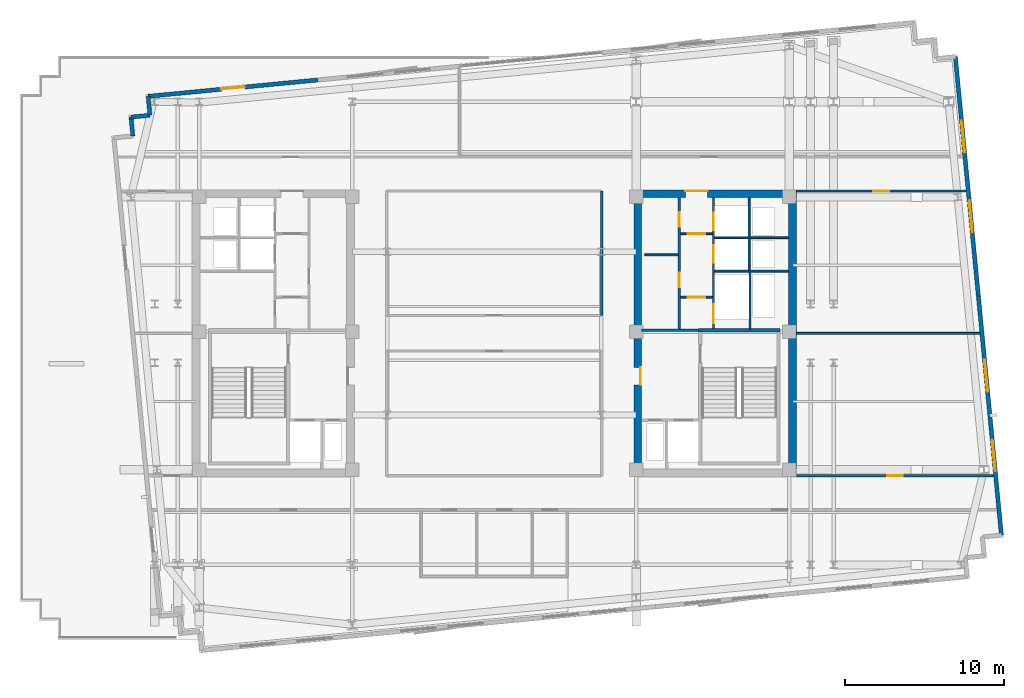
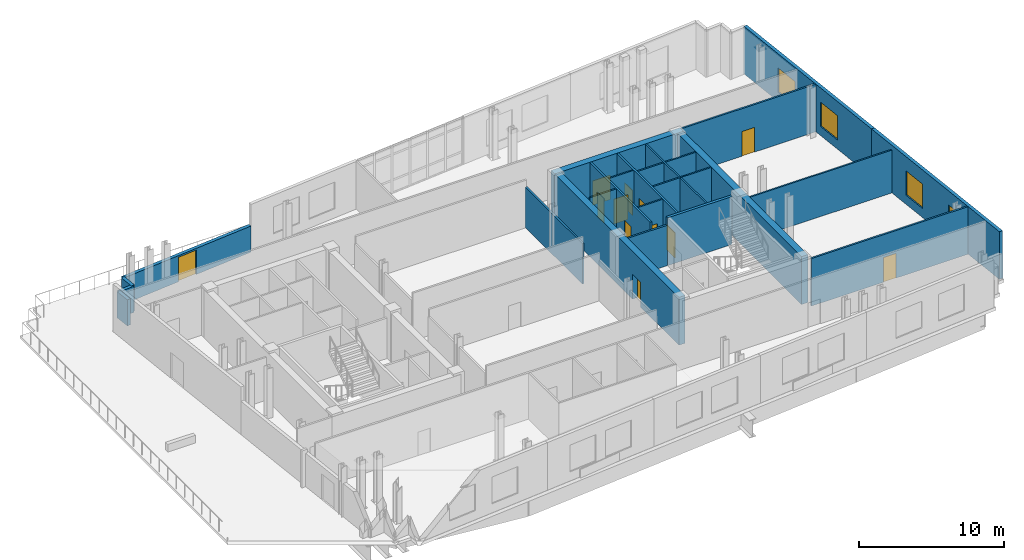
# One storey, part 7 of 11: 25 walls, 12 doors, 4 windows, 16 openings.
"""IFC4 building model written with IfcOpenShell, lengths in metres."""

from ifc_helpers import new_model, si_unit, direction, frame, frame_2d, origin, place, context, subcontext, project, spatial, rectangle, extrude, material, layer, layer_set, type_object, element, fill, save


model = new_model("IFC4")

# Units and contexts
model_context = context("Model", 3, precision=1e-05, world=origin(), true_north=direction((0.0, 1.0)))
body_context = subcontext(model_context, "Body", "Model", "MODEL_VIEW")
ifc_project = project(units=[si_unit("LENGTHUNIT", "METRE"), si_unit("AREAUNIT", "SQUARE_METRE"), si_unit("VOLUMEUNIT", "CUBIC_METRE"), si_unit("PLANEANGLEUNIT", "RADIAN"), si_unit("MASSUNIT", "GRAM", prefix="KILO")], contexts=[model_context])

# Site, building, storey
site_placement = place(None, origin())
site = spatial("IfcSite", under=ifc_project, at=site_placement, CompositionType="ELEMENT")
building_placement = place(site_placement, origin())
building = spatial("IfcBuilding", under=site, at=building_placement, Name="Velakula Bourse", CompositionType="ELEMENT")
storey_placement = place(building_placement, frame((0.0, 0.0, 247.5)))
storey = spatial("IfcBuildingStorey", under=building, at=storey_placement, Name="L67", CompositionType="ELEMENT", Elevation=247.5)

# Wall
ifc_material_1 = material(Name="Concrete M50 (fck 50 MPa)", Category="concrete")
ifc_layer_1 = layer(ifc_material_1, 0.2099609375, Name="Concrete M50 (fck 50 MPa)", Category="concrete")
ifc_layer_set_1 = layer_set([ifc_layer_1], Name="Concrete M50 (fck 50 MPa)")
wall_type_1 = type_object("IfcWallType", Name="WL-CORE-210", PredefinedType="SHEAR", material=ifc_layer_set_1)
wall_1_placement = place(storey_placement, frame((18.030029296875, 0.205078125, 0.0), z_axis=(0.0, 0.0, 1.0), x_axis=(-1.0, 0.0, 0.0)))
element("IfcWall", 1, at=wall_1_placement, inside=storey, type_object=wall_type_1, Name="L67 Core E Stairwell Shear Wall N", PredefinedType="SHEAR", context=body_context, shape_type="SweptSolid", body=[
    extrude(rectangle(XDim=5.14013671875, YDim=0.2099609375, at=frame_2d((2.570068359375, 0.0))), origin(), (0.0, 0.0, 1.0), 4.02001953125),
])

# Wall, opening, door
ifc_layer_2 = layer(ifc_material_1, 0.5, Name="Concrete M50 (fck 50 MPa)", Category="concrete")
ifc_layer_set_2 = layer_set([ifc_layer_2], Name="Concrete M50 (fck 50 MPa)")
wall_type_2 = type_object("IfcWallType", Name="WL-CORE-500", PredefinedType="SHEAR", material=ifc_layer_set_2)
wall_2_placement = place(storey_placement, frame((8.800048828125, 8.800048828125, 0.0), z_axis=(0.0, 0.0, 1.0), x_axis=(1.0, 0.0, 0.0)))
wall_2 = element("IfcWall", 2, at=wall_2_placement, inside=storey, type_object=wall_type_2, Name="L67 Core E Shear Wall N", PredefinedType="SHEAR", context=body_context, shape_type="SweptSolid", body=[
    extrude(rectangle(XDim=10.25, YDim=0.5, at=frame_2d((5.125, 0.0))), origin(), (0.0, 0.0, 1.0), 4.02001953125),
])
opening_1_placement = place(wall_2_placement, frame((3.25, 0.0, 0.0)))
opening_1 = element("IfcOpeningElement", 3, at=opening_1_placement, cuts=wall_2, Name="Opening D-LLE", PredefinedType="OPENING", context=body_context, shape_type="SweptSolid", body=[
    extrude(rectangle(XDim=1.39990234375, YDim=2.050048828125, at=frame_2d((0.699951171875, 1.02490234375))), frame((0.0, 0.260009765625, 0.0), z_axis=(0.0, -1.0, 0.0), x_axis=(1.0, 0.0, 0.0)), (0.0, 0.0, 1.0), 0.52001953125),
])
ifc_material_2 = material(Name="Fire-rated hardwood flush architectural door", Category="wood")
door_type_1 = type_object("IfcDoorType", Name="DR-DBL-FD60-1400", OperationType="DOUBLE_DOOR_SINGLE_SWING", PredefinedType="DOOR", material=ifc_material_2)
door_1_placement = place(opening_1_placement, origin())
door_1 = element("IfcDoor", 4, at=door_1_placement, inside=storey, type_object=door_type_1, Name="L67 Core E Lift Lobby Corridor Double Door", OperationType="DOUBLE_DOOR_SINGLE_SWING", OverallHeight=2.050048828125, OverallWidth=1.39990234375, PredefinedType="DOOR", context=body_context, shape_type="SweptSolid", body=[
    extrude(rectangle(XDim=1.39990234375, YDim=2.050048828125, at=frame_2d((0.699951171875, 1.02490234375))), frame((0.0, 0.19482421875, 0.0), z_axis=(0.0, -1.0, 0.0), x_axis=(1.0, 0.0, 0.0)), (0.0, 0.0, 1.0), 0.050048828125),
])
fill(opening_1, door_1)

wall_3_placement = place(storey_placement, frame((9.050048828125, -8.550048828125, 0.0), z_axis=(0.0, 0.0, 1.0), x_axis=(0.0, 1.0, 0.0)))
wall_3 = element("IfcWall", 5, at=wall_3_placement, inside=storey, type_object=wall_type_2, Name="L67 Core E Shear Wall W", PredefinedType="SHEAR", context=body_context, shape_type="SweptSolid", body=[
    extrude(rectangle(XDim=17.10009765625, YDim=0.5, at=frame_2d((8.550048828125, 0.0))), origin(), (0.0, 0.0, 1.0), 4.02001953125),
])
opening_2_placement = place(wall_3_placement, frame((5.300048828125, 0.0, 0.0)))
opening_2 = element("IfcOpeningElement", 6, at=opening_2_placement, cuts=wall_3, Name="Opening D-FLE", PredefinedType="OPENING", context=body_context, shape_type="SweptSolid", body=[
    extrude(rectangle(XDim=1.10009765625, YDim=2.080078125, at=frame_2d((0.550048828125, 1.0400390625))), frame((0.0, 0.260009765625, 0.0), z_axis=(0.0, -1.0, 0.0), x_axis=(1.0, 0.0, 0.0)), (0.0, 0.0, 1.0), 0.52001953125),
])
ifc_material_3 = material(Name="Galvanised painted hollow steel fire door", Category="steel")
door_type_2 = type_object("IfcDoorType", Name="DR-FD120-1100", OperationType="NOTDEFINED", PredefinedType="DOOR", material=ifc_material_3)
door_2_placement = place(opening_2_placement, origin())
door_2 = element("IfcDoor", 7, at=door_2_placement, inside=storey, type_object=door_type_2, Name="L67 Firefighting Lobby E Corridor Fire Door", OperationType="SINGLE_SWING_RIGHT", OverallHeight=2.080078125, OverallWidth=1.10009765625, PredefinedType="DOOR", context=body_context, shape_type="SweptSolid", body=[
    extrude(rectangle(XDim=1.10009765625, YDim=2.080078125, at=frame_2d((0.550048828125, 1.0400390625))), frame((0.0, -0.15478515625, 0.0), z_axis=(0.0, -1.0, 0.0), x_axis=(1.0, 0.0, 0.0)), (0.0, 0.0, 1.0), 0.050048828125),
])
fill(opening_2, door_2)

# Wall
wall_4_placement = place(storey_placement, frame((18.800048828125, -8.550048828125, 0.0), z_axis=(0.0, 0.0, 1.0), x_axis=(0.0, 1.0, 0.0)))
element("IfcWall", 8, at=wall_4_placement, inside=storey, type_object=wall_type_2, Name="L67 Core E Shear Wall E", PredefinedType="SHEAR", context=body_context, shape_type="SweptSolid", body=[
    extrude(rectangle(XDim=17.10009765625, YDim=0.5, at=frame_2d((8.550048828125, 0.0))), origin(), (0.0, 0.0, 1.0), 4.02001953125),
])

# Wall, opening, door
ifc_material_4 = material(Name="Buff kilned clay facing brick masonry", Category="masonry")
ifc_layer_3 = layer(ifc_material_4, 0.260009765625, Name="Buff kilned clay facing brick masonry", Category="masonry")
ifc_layer_set_3 = layer_set([ifc_layer_3], Name="Buff kilned clay facing brick masonry")
wall_type_3 = type_object("IfcWallType", Name="WL-EXT-BRK-260", PredefinedType="STANDARD", material=ifc_layer_set_3)
wall_5_placement = place(storey_placement, frame((-21.820556640625, 14.94482421875, 0.0), z_axis=(0.0, 0.0, 1.0), x_axis=(0.995394787719, 0.095860401528, 0.0)))
wall_5 = element("IfcWall", 9, at=wall_5_placement, inside=storey, type_object=wall_type_3, Name="L67 N Brick Spandrel Wall B1", PredefinedType="STANDARD", context=body_context, shape_type="SweptSolid", body=[
    extrude(rectangle(XDim=10.750244140625, YDim=0.260009765625, at=frame_2d((5.375, 0.0))), origin(), (0.0, 0.0, 1.0), 2.195068359375),
])
opening_3_placement = place(wall_5_placement, frame((4.625, 0.0, 0.0)))
opening_3 = element("IfcOpeningElement", 10, at=opening_3_placement, cuts=wall_5, Name="Opening D-TR2", PredefinedType="OPENING", context=body_context, shape_type="SweptSolid", body=[
    extrude(rectangle(XDim=1.5, YDim=2.054931640625, at=frame_2d((0.75, 1.02734375))), frame((0.0, 0.139892578125, 0.0), z_axis=(0.0, -1.0, 0.0), x_axis=(1.0, 0.0, 0.0)), (0.0, 0.0, 1.0), 0.280029296875),
])
ifc_material_5 = material(Name="Anodised bronze architectural aluminium", Category="aluminium")
door_type_3 = type_object("IfcDoorType", Name="DR-EXT-TERR-1500-LOW", OperationType="DOUBLE_DOOR_SINGLE_SWING", PredefinedType="DOOR", material=ifc_material_5)
door_3_placement = place(opening_3_placement, origin())
door_3 = element("IfcDoor", 11, at=door_3_placement, inside=storey, type_object=door_type_3, Name="L67 Sky-Garden Terrace Access Door 1", OperationType="DOUBLE_DOOR_SINGLE_SWING", OverallHeight=2.054931640625, OverallWidth=1.5, PredefinedType="DOOR", context=body_context, shape_type="SweptSolid", body=[
    extrude(rectangle(XDim=1.5, YDim=2.054931640625, at=frame_2d((0.75, 1.02734375))), frame((0.0, 0.02490234375, 0.0), z_axis=(0.0, -1.0, 0.0), x_axis=(1.0, 0.0, 0.0)), (0.0, 0.0, 1.0), 0.050048828125),
])
fill(opening_3, door_3)

# Wall, openings, windows
wall_6_placement = place(storey_placement, frame((30.52734375, 2.354248046875, 0.0), z_axis=(0.0, 0.0, 1.0), x_axis=(0.095850890337, -0.995395703638, 0.0)))
wall_6 = element("IfcWall", 12, at=wall_6_placement, inside=storey, type_object=wall_type_3, Name="L67 E Brick End Wall W1", PredefinedType="STANDARD", context=body_context, shape_type="SweptSolid", body=[
    extrude(rectangle(XDim=15.150146484375, YDim=0.260009765625, at=frame_2d((7.5751953125, 0.0))), origin(), (0.0, 0.0, 1.0), 4.0),
])
opening_4_placement = place(wall_6_placement, frame((4.050048828125, 0.0, 0.760009765625)))
opening_4 = element("IfcOpeningElement", 13, at=opening_4_placement, cuts=wall_6, Name="Opening W-05", PredefinedType="OPENING", context=body_context, shape_type="SweptSolid", body=[
    extrude(rectangle(XDim=2.0, YDim=2.050048828125, at=frame_2d((1.0, 1.02490234375))), frame((0.0, 0.139892578125, 0.0), z_axis=(0.0, -1.0, 0.0), x_axis=(1.0, 0.0, 0.0)), (0.0, 0.0, 1.0), 0.280029296875),
])
opening_5_placement = place(wall_6_placement, frame((9.10009765625, 0.0, 0.760009765625)))
opening_5 = element("IfcOpeningElement", 14, at=opening_5_placement, cuts=wall_6, Name="Opening W-05", PredefinedType="OPENING", context=body_context, shape_type="SweptSolid", body=[
    extrude(rectangle(XDim=2.0, YDim=2.050048828125, at=frame_2d((1.0, 1.02490234375))), frame((0.0, 0.139892578125, 0.0), z_axis=(0.0, -1.0, 0.0), x_axis=(1.0, 0.0, 0.0)), (0.0, 0.0, 1.0), 0.280029296875),
])
ifc_material_6 = material(Name="Double-glazed solar-control Low-E glass", Category="glass")
window_type = type_object("IfcWindowType", Name="WIN-TWR-2000x2200", PartitioningType="DOUBLE_PANEL_VERTICAL", PredefinedType="WINDOW", material=ifc_material_6)
window_1_placement = place(opening_4_placement, origin())
window_1 = element("IfcWindow", 15, at=window_1_placement, inside=storey, type_object=window_type, Name="L67 Deep-Set Recessed Window 1", OverallHeight=2.050048828125, OverallWidth=2.0, PartitioningType="DOUBLE_PANEL_VERTICAL", PredefinedType="WINDOW", context=body_context, shape_type="SweptSolid", body=[
    extrude(rectangle(XDim=2.0, YDim=2.050048828125, at=frame_2d((1.0, 1.02490234375))), frame((0.0, 0.030029296875, 0.0), z_axis=(0.0, -1.0, 0.0), x_axis=(1.0, 0.0, 0.0)), (0.0, 0.0, 1.0), 0.06005859375),
])
fill(opening_4, window_1)
window_2_placement = place(opening_5_placement, origin())
window_2 = element("IfcWindow", 16, at=window_2_placement, inside=storey, type_object=window_type, Name="L67 Deep-Set Recessed Window 2", OverallHeight=2.050048828125, OverallWidth=2.0, PartitioningType="DOUBLE_PANEL_VERTICAL", PredefinedType="WINDOW", context=body_context, shape_type="SweptSolid", body=[
    extrude(rectangle(XDim=2.0, YDim=2.050048828125, at=frame_2d((1.0, 1.02490234375))), frame((0.0, 0.030029296875, 0.0), z_axis=(0.0, -1.0, 0.0), x_axis=(1.0, 0.0, 0.0)), (0.0, 0.0, 1.0), 0.06005859375),
])
fill(opening_5, window_2)

wall_7_placement = place(storey_placement, frame((29.0751953125, 17.4345703125, 0.0), z_axis=(0.0, 0.0, 1.0), x_axis=(0.095850890337, -0.995395703638, 0.0)))
wall_7 = element("IfcWall", 17, at=wall_7_placement, inside=storey, type_object=wall_type_3, Name="L67 E Brick End Wall W2", PredefinedType="STANDARD", context=body_context, shape_type="SweptSolid", body=[
    extrude(rectangle(XDim=15.150146484375, YDim=0.260009765625, at=frame_2d((7.5751953125, 0.0))), origin(), (0.0, 0.0, 1.0), 4.0),
])
opening_6_placement = place(wall_7_placement, frame((4.050048828125, 0.0, 0.760009765625)))
opening_6 = element("IfcOpeningElement", 18, at=opening_6_placement, cuts=wall_7, Name="Opening W-05", PredefinedType="OPENING", context=body_context, shape_type="SweptSolid", body=[
    extrude(rectangle(XDim=2.0, YDim=2.050048828125, at=frame_2d((1.0, 1.02490234375))), frame((0.0, 0.139892578125, 0.0), z_axis=(0.0, -1.0, 0.0), x_axis=(1.0, 0.0, 0.0)), (0.0, 0.0, 1.0), 0.280029296875),
])
opening_7_placement = place(wall_7_placement, frame((9.10009765625, 0.0, 0.760009765625)))
opening_7 = element("IfcOpeningElement", 19, at=opening_7_placement, cuts=wall_7, Name="Opening W-05", PredefinedType="OPENING", context=body_context, shape_type="SweptSolid", body=[
    extrude(rectangle(XDim=2.0, YDim=2.050048828125, at=frame_2d((1.0, 1.02490234375))), frame((0.0, 0.139892578125, 0.0), z_axis=(0.0, -1.0, 0.0), x_axis=(1.0, 0.0, 0.0)), (0.0, 0.0, 1.0), 0.280029296875),
])
window_3_placement = place(opening_6_placement, origin())
window_3 = element("IfcWindow", 20, at=window_3_placement, inside=storey, type_object=window_type, Name="L67 Deep-Set Recessed Window 1", OverallHeight=2.050048828125, OverallWidth=2.0, PartitioningType="DOUBLE_PANEL_VERTICAL", PredefinedType="WINDOW", context=body_context, shape_type="SweptSolid", body=[
    extrude(rectangle(XDim=2.0, YDim=2.050048828125, at=frame_2d((1.0, 1.02490234375))), frame((0.0, 0.030029296875, 0.0), z_axis=(0.0, -1.0, 0.0), x_axis=(1.0, 0.0, 0.0)), (0.0, 0.0, 1.0), 0.06005859375),
])
fill(opening_6, window_3)
window_4_placement = place(opening_7_placement, origin())
window_4 = element("IfcWindow", 21, at=window_4_placement, inside=storey, type_object=window_type, Name="L67 Deep-Set Recessed Window 2", OverallHeight=2.050048828125, OverallWidth=2.0, PartitioningType="DOUBLE_PANEL_VERTICAL", PredefinedType="WINDOW", context=body_context, shape_type="SweptSolid", body=[
    extrude(rectangle(XDim=2.0, YDim=2.050048828125, at=frame_2d((1.0, 1.02490234375))), frame((0.0, 0.030029296875, 0.0), z_axis=(0.0, -1.0, 0.0), x_axis=(1.0, 0.0, 0.0)), (0.0, 0.0, 1.0), 0.06005859375),
])
fill(opening_7, window_4)

# Walls
wall_8_placement = place(storey_placement, frame((-21.820556640625, 14.94482421875, 0.0), z_axis=(0.0, 0.0, 1.0), x_axis=(0.096038073607, -0.995377661201, 0.0)))
element("IfcWall", 22, at=wall_8_placement, inside=storey, type_object=wall_type_3, Name="L67 Serrated Corner Brick Wall NW-1", PredefinedType="STANDARD", context=body_context, shape_type="SweptSolid", body=[
    extrude(rectangle(XDim=1.199951171875, YDim=0.260009765625, at=frame_2d((0.60009765625, 0.0))), origin(), (0.0, 0.0, 1.0), 2.195068359375),
])
for number, where, z_axis, x_axis, name in (
    (23, (-21.705322265625, 13.75048828125, 0.0), (0.0, 0.0, 1.0), (-0.995398960025, -0.095817067274, 0.0), "L67 Serrated Corner Brick Wall NW-2"),
    (24, (-22.89990234375, 13.635498046875, 0.0), (0.0, 0.0, 1.0), (0.095817067274, -0.995398960025, 0.0), "L67 Serrated Corner Brick Wall NW-3"),
):
    element("IfcWall", number, at=place(storey_placement, frame(where, z_axis=z_axis, x_axis=x_axis)), inside=storey, type_object=wall_type_3, Name=name, PredefinedType="STANDARD", context=body_context, shape_type="SweptSolid", body=[
        extrude(rectangle(XDim=1.2001953125, YDim=0.260009765625, at=frame_2d((0.60009765625, 0.0))), origin(), (0.0, 0.0, 1.0), 2.195068359375),
    ])

# Wall, opening, door
ifc_material_7 = material(Name="Fire-rated double-layer gypsum drywall partition", Category="gypsum")
ifc_layer_4 = layer(ifc_material_7, 0.1201171875, Name="Fire-rated double-layer gypsum drywall partition", Category="gypsum")
ifc_layer_set_4 = layer_set([ifc_layer_4], Name="Fire-rated double-layer gypsum drywall partition")
wall_type_4 = type_object("IfcWallType", Name="WL-PART-120", PredefinedType="STANDARD", material=ifc_layer_set_4)
wall_9_placement = place(storey_placement, frame((11.75, 2.280029296875, 0.0), z_axis=(0.0, 0.0, 1.0), x_axis=(1.0, 0.0, 0.0)))
wall_9 = element("IfcWall", 25, at=wall_9_placement, inside=storey, type_object=wall_type_4, Name="L67 Interior Partition WL-CRE-L67-LL-K3A", PredefinedType="STANDARD", context=body_context, shape_type="SweptSolid", body=[
    extrude(rectangle(XDim=2.0, YDim=0.1201171875, at=frame_2d((1.0, 0.0))), origin(), (0.0, 0.0, 1.0), 4.0),
])
opening_8_placement = place(wall_9_placement, frame((0.449951171875, 0.0, 0.0)))
opening_8 = element("IfcOpeningElement", 26, at=opening_8_placement, cuts=wall_9, Name="Opening D-LK3", PredefinedType="OPENING", context=body_context, shape_type="SweptSolid", body=[
    extrude(rectangle(XDim=1.10009765625, YDim=2.10009765625, at=frame_2d((0.550048828125, 1.050048828125))), frame((0.0, 0.070068359375, 0.0), z_axis=(0.0, -1.0, 0.0), x_axis=(1.0, 0.0, 0.0)), (0.0, 0.0, 1.0), 0.14013671875),
])
door_type_4 = type_object("IfcDoorType", Name="DR-FD60-1100x2100", OperationType="NOTDEFINED", PredefinedType="DOOR", material=ifc_material_2)
door_4_placement = place(opening_8_placement, origin())
door_4 = element("IfcDoor", 27, at=door_4_placement, inside=storey, type_object=door_type_4, Name="L67 Core E Lift Lobby Vestibule Door A", OperationType="SINGLE_SWING_LEFT", OverallHeight=2.10009765625, OverallWidth=1.10009765625, PredefinedType="DOOR", context=body_context, shape_type="SweptSolid", body=[
    extrude(rectangle(XDim=1.10009765625, YDim=2.10009765625, at=frame_2d((0.550048828125, 1.050048828125))), frame((0.0, 0.02490234375, 0.0), z_axis=(0.0, -1.0, 0.0), x_axis=(1.0, 0.0, 0.0)), (0.0, 0.0, 1.0), 0.050048828125),
])
fill(opening_8, door_4)

wall_10_placement = place(storey_placement, frame((11.75, 6.280029296875, 0.0), z_axis=(0.0, 0.0, 1.0), x_axis=(1.0, 0.0, 0.0)))
wall_10 = element("IfcWall", 28, at=wall_10_placement, inside=storey, type_object=wall_type_4, Name="L67 Interior Partition WL-CRE-L67-LL-K3B", PredefinedType="STANDARD", context=body_context, shape_type="SweptSolid", body=[
    extrude(rectangle(XDim=2.0, YDim=0.1201171875, at=frame_2d((1.0, 0.0))), origin(), (0.0, 0.0, 1.0), 4.0),
])
opening_9_placement = place(wall_10_placement, frame((0.449951171875, 0.0, 0.0)))
opening_9 = element("IfcOpeningElement", 29, at=opening_9_placement, cuts=wall_10, Name="Opening D-LK3", PredefinedType="OPENING", context=body_context, shape_type="SweptSolid", body=[
    extrude(rectangle(XDim=1.10009765625, YDim=2.10009765625, at=frame_2d((0.550048828125, 1.050048828125))), frame((0.0, 0.070068359375, 0.0), z_axis=(0.0, -1.0, 0.0), x_axis=(1.0, 0.0, 0.0)), (0.0, 0.0, 1.0), 0.14013671875),
])
door_5_placement = place(opening_9_placement, origin())
door_5 = element("IfcDoor", 30, at=door_5_placement, inside=storey, type_object=door_type_4, Name="L67 Core E Lift Lobby Vestibule Door B", OperationType="SINGLE_SWING_RIGHT", OverallHeight=2.10009765625, OverallWidth=1.10009765625, PredefinedType="DOOR", context=body_context, shape_type="SweptSolid", body=[
    extrude(rectangle(XDim=1.10009765625, YDim=2.10009765625, at=frame_2d((0.550048828125, 1.050048828125))), frame((0.0, 0.02490234375, 0.0), z_axis=(0.0, -1.0, 0.0), x_axis=(1.0, 0.0, 0.0)), (0.0, 0.0, 1.0), 0.050048828125),
])
fill(opening_9, door_5)

# Walls
wall_11_placement = place(storey_placement, frame((9.5, 4.949951171875, 0.0), z_axis=(0.0, 0.0, 1.0), x_axis=(1.0, 0.0, 0.0)))
element("IfcWall", 31, at=wall_11_placement, inside=storey, type_object=wall_type_4, Name="L67 Interior Partition WL-CRE-L67-RCDIV", PredefinedType="STANDARD", context=body_context, shape_type="SweptSolid", body=[
    extrude(rectangle(XDim=2.10009765625, YDim=0.1201171875, at=frame_2d((1.050048828125, 0.0))), origin(), (0.0, 0.0, 1.0), 4.0),
])
wall_12_placement = place(storey_placement, frame((13.89990234375, 3.919921875, 0.0), z_axis=(0.0, 0.0, 1.0), x_axis=(1.0, 0.0, 0.0)))
element("IfcWall", 32, at=wall_12_placement, inside=storey, type_object=wall_type_4, Name="L67 Interior Partition WL-CRE-L67-HI-S", PredefinedType="STANDARD", context=body_context, shape_type="SweptSolid", body=[
    extrude(rectangle(XDim=4.650146484375, YDim=0.1201171875, at=frame_2d((2.3251953125, 0.0))), origin(), (0.0, 0.0, 1.0), 4.0),
])
wall_13_placement = place(storey_placement, frame((16.14990234375, 6.030029296875, 0.0), z_axis=(0.0, 0.0, 1.0), x_axis=(1.0, 0.0, 0.0)))
element("IfcWall", 33, at=wall_13_placement, inside=storey, type_object=wall_type_4, Name="L67 Interior Partition WL-CRE-L67-RIS-MID", PredefinedType="STANDARD", context=body_context, shape_type="SweptSolid", body=[
    extrude(rectangle(XDim=2.400146484375, YDim=0.1201171875, at=frame_2d((1.2001953125, 0.0))), origin(), (0.0, 0.0, 1.0), 4.0),
])
wall_14_placement = place(storey_placement, frame((16.074951171875, 3.97998046875, 0.0), z_axis=(0.0, 0.0, 1.0), x_axis=(0.0, 1.0, 0.0)))
element("IfcWall", 34, at=wall_14_placement, inside=storey, type_object=wall_type_4, Name="L67 Interior Partition WL-CRE-L67-RIS-F", PredefinedType="STANDARD", context=body_context, shape_type="SweptSolid", body=[
    extrude(rectangle(XDim=4.570068359375, YDim=0.1201171875, at=frame_2d((2.28515625, 0.0))), origin(), (0.0, 0.0, 1.0), 4.0),
])
wall_15_placement = place(storey_placement, frame((13.89990234375, 6.030029296875, 0.0), z_axis=(0.0, 0.0, 1.0), x_axis=(1.0, 0.0, 0.0)))
element("IfcWall", 35, at=wall_15_placement, inside=storey, type_object=wall_type_4, Name="L67 Interior Partition WL-CRE-L67-HI-DIV", PredefinedType="STANDARD", context=body_context, shape_type="SweptSolid", body=[
    extrude(rectangle(XDim=2.10009765625, YDim=0.1201171875, at=frame_2d((1.050048828125, 0.0))), origin(), (0.0, 0.0, 1.0), 4.0),
])
wall_16_placement = place(storey_placement, frame((16.125, 0.27001953125, 0.0), z_axis=(0.0, 0.0, 1.0), x_axis=(0.0, 1.0, 0.0)))
element("IfcWall", 36, at=wall_16_placement, inside=storey, type_object=wall_type_4, Name="L67 Interior Partition WL-CRE-L67-SVL-E", PredefinedType="STANDARD", context=body_context, shape_type="SweptSolid", body=[
    extrude(rectangle(XDim=3.590087890625, YDim=0.1201171875, at=frame_2d((1.794921875, 0.0))), origin(), (0.0, 0.0, 1.0), 4.0),
])
wall_17_placement = place(storey_placement, frame((19.050048828125, 0.0, 0.0), z_axis=(0.0, 0.0, 1.0), x_axis=(1.0, 0.0, 0.0)))
element("IfcWall", 37, at=wall_17_placement, inside=storey, type_object=wall_type_4, Name="L67 Interior Partition WL-INT-L67-E-H", PredefinedType="STANDARD", context=body_context, shape_type="SweptSolid", body=[
    extrude(rectangle(XDim=11.5732421875, YDim=0.1201171875, at=frame_2d((5.78662109375, 0.0))), origin(), (0.0, 0.0, 1.0), 3.594970703125),
])

# Wall, opening, door
ifc_layer_5 = layer(ifc_material_7, 0.139892578125, Name="Fire-rated double-layer gypsum drywall partition", Category="gypsum")
ifc_layer_set_5 = layer_set([ifc_layer_5], Name="Fire-rated double-layer gypsum drywall partition")
wall_type_5 = type_object("IfcWallType", Name="WL-PART-140", PredefinedType="STANDARD", material=ifc_layer_set_5)
wall_18_placement = place(storey_placement, frame((19.050048828125, 8.97998046875, 0.0), z_axis=(0.0, 0.0, 1.0), x_axis=(1.0, 0.0, 0.0)))
wall_18 = element("IfcWall", 38, at=wall_18_placement, inside=storey, type_object=wall_type_5, Name="L67 Interior Partition WL-INT-L67-E-NC", PredefinedType="STANDARD", context=body_context, shape_type="SweptSolid", body=[
    extrude(rectangle(XDim=10.708740234375, YDim=0.139892578125, at=frame_2d((5.3544921875, 0.0))), origin(), (0.0, 0.0, 1.0), 4.0),
])
opening_10_placement = place(wall_18_placement, frame((4.8544921875, 0.0, 0.0)))
opening_10 = element("IfcOpeningElement", 39, at=opening_10_placement, cuts=wall_18, Name="Opening D-OF1", PredefinedType="OPENING", context=body_context, shape_type="SweptSolid", body=[
    extrude(rectangle(XDim=1.0, YDim=2.080078125, at=frame_2d((0.5, 1.0400390625))), frame((0.0, 0.079833984375, 0.0), z_axis=(0.0, -1.0, 0.0), x_axis=(1.0, 0.0, 0.0)), (0.0, 0.0, 1.0), 0.159912109375),
])
door_type_5 = type_object("IfcDoorType", Name="DR-OFF-1000", OperationType="NOTDEFINED", PredefinedType="DOOR", material=ifc_material_2)
door_6_placement = place(opening_10_placement, origin())
door_6 = element("IfcDoor", 40, at=door_6_placement, inside=storey, type_object=door_type_5, Name="L67 Asset Allocation Office Door", OperationType="SINGLE_SWING_RIGHT", OverallHeight=2.080078125, OverallWidth=1.0, PredefinedType="DOOR", context=body_context, shape_type="SweptSolid", body=[
    extrude(rectangle(XDim=1.0, YDim=2.080078125, at=frame_2d((0.5, 1.0400390625))), frame((0.0, 0.02490234375, 0.0), z_axis=(0.0, -1.0, 0.0), x_axis=(1.0, 0.0, 0.0)), (0.0, 0.0, 1.0), 0.050048828125),
])
fill(opening_10, door_6)

wall_19_placement = place(storey_placement, frame((19.050048828125, -8.97998046875, 0.0), z_axis=(0.0, 0.0, 1.0), x_axis=(1.0, 0.0, 0.0)))
wall_19 = element("IfcWall", 41, at=wall_19_placement, inside=storey, type_object=wall_type_5, Name="L67 Interior Partition WL-INT-L67-E-SC", PredefinedType="STANDARD", context=body_context, shape_type="SweptSolid", body=[
    extrude(rectangle(XDim=12.43798828125, YDim=0.139892578125, at=frame_2d((6.218994140625, 0.0))), origin(), (0.0, 0.0, 1.0), 4.0),
])
opening_11_placement = place(wall_19_placement, frame((5.718994140625, 0.0, 0.0)))
opening_11 = element("IfcOpeningElement", 42, at=opening_11_placement, cuts=wall_19, Name="Opening D-OF1", PredefinedType="OPENING", context=body_context, shape_type="SweptSolid", body=[
    extrude(rectangle(XDim=1.0, YDim=2.080078125, at=frame_2d((0.5, 1.0400390625))), frame((0.0, 0.079833984375, 0.0), z_axis=(0.0, -1.0, 0.0), x_axis=(1.0, 0.0, 0.0)), (0.0, 0.0, 1.0), 0.159912109375),
])
door_7_placement = place(opening_11_placement, origin())
door_7 = element("IfcDoor", 43, at=door_7_placement, inside=storey, type_object=door_type_5, Name="L67 Market Surveillance Control Workspace Door", OperationType="SINGLE_SWING_LEFT", OverallHeight=2.080078125, OverallWidth=1.0, PredefinedType="DOOR", context=body_context, shape_type="SweptSolid", body=[
    extrude(rectangle(XDim=1.0, YDim=2.080078125, at=frame_2d((0.5, 1.0400390625))), frame((0.0, 0.02490234375, 0.0), z_axis=(0.0, -1.0, 0.0), x_axis=(1.0, 0.0, 0.0)), (0.0, 0.0, 1.0), 0.050048828125),
])
fill(opening_11, door_7)

# Walls
wall_20_placement = place(storey_placement, frame((6.780029296875, 1.1201171875, 0.0), z_axis=(0.0, 0.0, 1.0), x_axis=(0.0, 1.0, 0.0)))
element("IfcWall", 44, at=wall_20_placement, inside=storey, type_object=wall_type_5, Name="L67 Interior Partition WL-INT-L67-MN-E", PredefinedType="STANDARD", context=body_context, shape_type="SweptSolid", body=[
    extrude(rectangle(XDim=7.85986328125, YDim=0.139892578125, at=frame_2d((3.929931640625, 0.0))), origin(), (0.0, 0.0, 1.0), 3.39501953125),
])
ifc_material_8 = material(Name="Autoclaved aerated concrete blockwork masonry", Category="masonry")
ifc_layer_6 = layer(ifc_material_8, 0.14990234375, Name="Autoclaved aerated concrete blockwork masonry", Category="masonry")
ifc_layer_set_6 = layer_set([ifc_layer_6], Name="Autoclaved aerated concrete blockwork masonry")
wall_type_6 = type_object("IfcWallType", Name="WL-SHAFT-150", PredefinedType="STANDARD", material=ifc_layer_set_6)
wall_21_placement = place(storey_placement, frame((9.300048828125, 0.18994140625, 0.0), z_axis=(0.0, 0.0, 1.0), x_axis=(1.0, 0.0, 0.0)))
element("IfcWall", 45, at=wall_21_placement, inside=storey, type_object=wall_type_6, Name="L67 Interior Partition WL-CRE-L67-FF-TOP", PredefinedType="STANDARD", context=body_context, shape_type="SweptSolid", body=[
    extrude(rectangle(XDim=3.58984375, YDim=0.14990234375, at=frame_2d((1.794921875, 0.0))), origin(), (0.0, 0.0, 1.0), 3.39501953125),
])

# Wall, openings, doors
wall_22_placement = place(storey_placement, frame((11.675048828125, 0.27001953125, 0.0), z_axis=(0.0, 0.0, 1.0), x_axis=(0.0, 1.0, 0.0)))
wall_22 = element("IfcWall", 46, at=wall_22_placement, inside=storey, type_object=wall_type_6, Name="L67 Interior Partition WL-CRE-L67-BANK-F", PredefinedType="STANDARD", context=body_context, shape_type="SweptSolid", body=[
    extrude(rectangle(XDim=8.280029296875, YDim=0.14990234375, at=frame_2d((4.14013671875, 0.0))), origin(), (0.0, 0.0, 1.0), 4.0),
])
opening_12_placement = place(wall_22_placement, frame((2.64990234375, 0.0, 0.0)))
opening_12 = element("IfcOpeningElement", 47, at=opening_12_placement, cuts=wall_22, Name="Opening D-RC2", PredefinedType="OPENING", context=body_context, shape_type="SweptSolid", body=[
    extrude(rectangle(XDim=0.89990234375, YDim=2.050048828125, at=frame_2d((0.449951171875, 1.02490234375))), frame((0.0, 0.0849609375, 0.0), z_axis=(0.0, -1.0, 0.0), x_axis=(1.0, 0.0, 0.0)), (0.0, 0.0, 1.0), 0.169921875),
])
opening_13_placement = place(wall_22_placement, frame((6.449951171875, 0.0, 0.0)))
opening_13 = element("IfcOpeningElement", 48, at=opening_13_placement, cuts=wall_22, Name="Opening D-RC2", PredefinedType="OPENING", context=body_context, shape_type="SweptSolid", body=[
    extrude(rectangle(XDim=0.89990234375, YDim=2.050048828125, at=frame_2d((0.449951171875, 1.02490234375))), frame((0.0, 0.0849609375, 0.0), z_axis=(0.0, -1.0, 0.0), x_axis=(1.0, 0.0, 0.0)), (0.0, 0.0, 1.0), 0.169921875),
])
door_type_6 = type_object("IfcDoorType", Name="DR-FD60-900", OperationType="NOTDEFINED", PredefinedType="DOOR", material=ifc_material_2)
door_8_placement = place(opening_12_placement, origin())
door_8 = element("IfcDoor", 49, at=door_8_placement, inside=storey, type_object=door_type_6, Name="L67 Reclaimed Vault Room Door", OperationType="SINGLE_SWING_LEFT", OverallHeight=2.050048828125, OverallWidth=0.89990234375, PredefinedType="DOOR", context=body_context, shape_type="SweptSolid", body=[
    extrude(rectangle(XDim=0.89990234375, YDim=2.050048828125, at=frame_2d((0.449951171875, 1.02490234375))), frame((0.0, 0.02490234375, 0.0), z_axis=(0.0, -1.0, 0.0), x_axis=(1.0, 0.0, 0.0)), (0.0, 0.0, 1.0), 0.050048828125),
])
fill(opening_12, door_8)
door_9_placement = place(opening_13_placement, origin())
door_9 = element("IfcDoor", 50, at=door_9_placement, inside=storey, type_object=door_type_6, Name="L67 Reclaimed Depository Store Door", OperationType="SINGLE_SWING_RIGHT", OverallHeight=2.050048828125, OverallWidth=0.89990234375, PredefinedType="DOOR", context=body_context, shape_type="SweptSolid", body=[
    extrude(rectangle(XDim=0.89990234375, YDim=2.050048828125, at=frame_2d((0.449951171875, 1.02490234375))), frame((0.0, 0.02490234375, 0.0), z_axis=(0.0, -1.0, 0.0), x_axis=(1.0, 0.0, 0.0)), (0.0, 0.0, 1.0), 0.050048828125),
])
fill(opening_13, door_9)

wall_23_placement = place(storey_placement, frame((13.824951171875, 0.27001953125, 0.0), z_axis=(0.0, 0.0, 1.0), x_axis=(0.0, 1.0, 0.0)))
wall_23 = element("IfcWall", 51, at=wall_23_placement, inside=storey, type_object=wall_type_6, Name="L67 Interior Partition WL-CRE-L67-OUT-F", PredefinedType="STANDARD", context=body_context, shape_type="SweptSolid", body=[
    extrude(rectangle(XDim=8.280029296875, YDim=0.14990234375, at=frame_2d((4.14013671875, 0.0))), origin(), (0.0, 0.0, 1.0), 4.0),
])
opening_14_placement = place(wall_23_placement, frame((4.175048828125, 0.0, 0.0)))
opening_14 = element("IfcOpeningElement", 52, at=opening_14_placement, cuts=wall_23, Name="Opening LD-P11", PredefinedType="OPENING", context=body_context, shape_type="SweptSolid", body=[
    extrude(rectangle(XDim=1.10009765625, YDim=2.10009765625, at=frame_2d((0.550048828125, 1.050048828125))), frame((0.0, 0.0849609375, 0.0), z_axis=(0.0, -1.0, 0.0), x_axis=(1.0, 0.0, 0.0)), (0.0, 0.0, 1.0), 0.169921875),
])
opening_15_placement = place(wall_23_placement, frame((6.2451171875, 0.0, 0.0)))
opening_15 = element("IfcOpeningElement", 53, at=opening_15_placement, cuts=wall_23, Name="Opening LD-P12", PredefinedType="OPENING", context=body_context, shape_type="SweptSolid", body=[
    extrude(rectangle(XDim=1.10009765625, YDim=2.10009765625, at=frame_2d((0.550048828125, 1.050048828125))), frame((0.0, 0.0849609375, 0.0), z_axis=(0.0, -1.0, 0.0), x_axis=(1.0, 0.0, 0.0)), (0.0, 0.0, 1.0), 0.169921875),
])
opening_16_placement = place(wall_23_placement, frame((0.3798828125, 0.0, 0.0)))
opening_16 = element("IfcOpeningElement", 54, at=opening_16_placement, cuts=wall_23, Name="Opening LD-SVL1", PredefinedType="OPENING", context=body_context, shape_type="SweptSolid", body=[
    extrude(rectangle(XDim=1.199951171875, YDim=2.10009765625, at=frame_2d((0.60009765625, 1.050048828125))), frame((0.0, 0.0849609375, 0.0), z_axis=(0.0, -1.0, 0.0), x_axis=(1.0, 0.0, 0.0)), (0.0, 0.0, 1.0), 0.169921875),
])
ifc_material_9 = material(Name="Brushed grade 316 stainless steel", Category="steel")
door_type_7 = type_object("IfcDoorType", Name="DR-SLIDE-LD-1100", OperationType="DOUBLE_DOOR_SLIDING", PredefinedType="DOOR", material=ifc_material_9)
door_10_placement = place(opening_14_placement, origin())
door_10 = element("IfcDoor", 55, at=door_10_placement, inside=storey, type_object=door_type_7, Name="L67 Passenger Lift P11 Sliding Landing Door", OperationType="DOUBLE_DOOR_SLIDING", OverallHeight=2.10009765625, OverallWidth=1.10009765625, PredefinedType="DOOR", context=body_context, shape_type="SweptSolid", body=[
    extrude(rectangle(XDim=1.10009765625, YDim=2.10009765625, at=frame_2d((0.550048828125, 1.050048828125))), frame((0.0, 0.02490234375, 0.0), z_axis=(0.0, -1.0, 0.0), x_axis=(1.0, 0.0, 0.0)), (0.0, 0.0, 1.0), 0.050048828125),
])
fill(opening_14, door_10)
door_11_placement = place(opening_15_placement, origin())
door_11 = element("IfcDoor", 56, at=door_11_placement, inside=storey, type_object=door_type_7, Name="L67 Passenger Lift P12 Sliding Landing Door", OperationType="DOUBLE_DOOR_SLIDING", OverallHeight=2.10009765625, OverallWidth=1.10009765625, PredefinedType="DOOR", context=body_context, shape_type="SweptSolid", body=[
    extrude(rectangle(XDim=1.10009765625, YDim=2.10009765625, at=frame_2d((0.550048828125, 1.050048828125))), frame((0.0, 0.02490234375, 0.0), z_axis=(0.0, -1.0, 0.0), x_axis=(1.0, 0.0, 0.0)), (0.0, 0.0, 1.0), 0.050048828125),
])
fill(opening_15, door_11)
door_type_8 = type_object("IfcDoorType", Name="DR-SLIDE-LD-1200", OperationType="DOUBLE_DOOR_SLIDING", PredefinedType="DOOR", material=ifc_material_9)
door_12_placement = place(opening_16_placement, origin())
door_12 = element("IfcDoor", 57, at=door_12_placement, inside=storey, type_object=door_type_8, Name="L67 Service Lift SVL-1 Sliding Landing Door", OperationType="DOUBLE_DOOR_SLIDING", OverallHeight=2.10009765625, OverallWidth=1.199951171875, PredefinedType="DOOR", context=body_context, shape_type="SweptSolid", body=[
    extrude(rectangle(XDim=1.199951171875, YDim=2.10009765625, at=frame_2d((0.60009765625, 1.050048828125))), frame((0.0, 0.02490234375, 0.0), z_axis=(0.0, -1.0, 0.0), x_axis=(1.0, 0.0, 0.0)), (0.0, 0.0, 1.0), 0.050048828125),
])
fill(opening_16, door_12)

save(model, "model.ifc")
